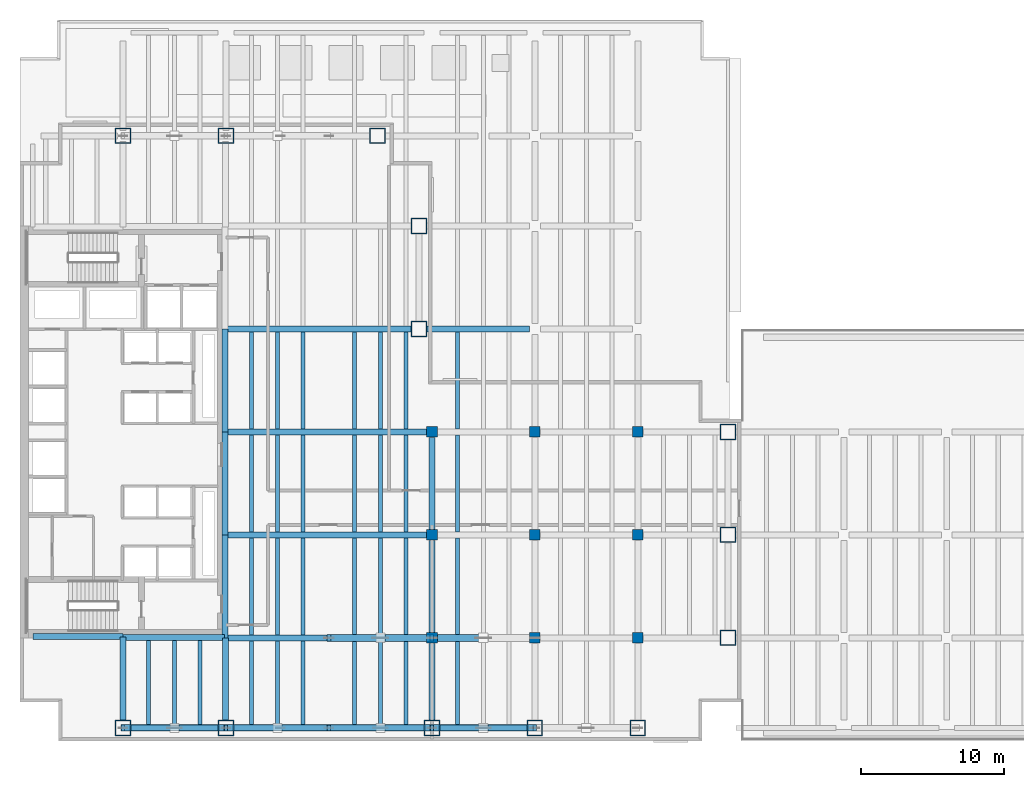
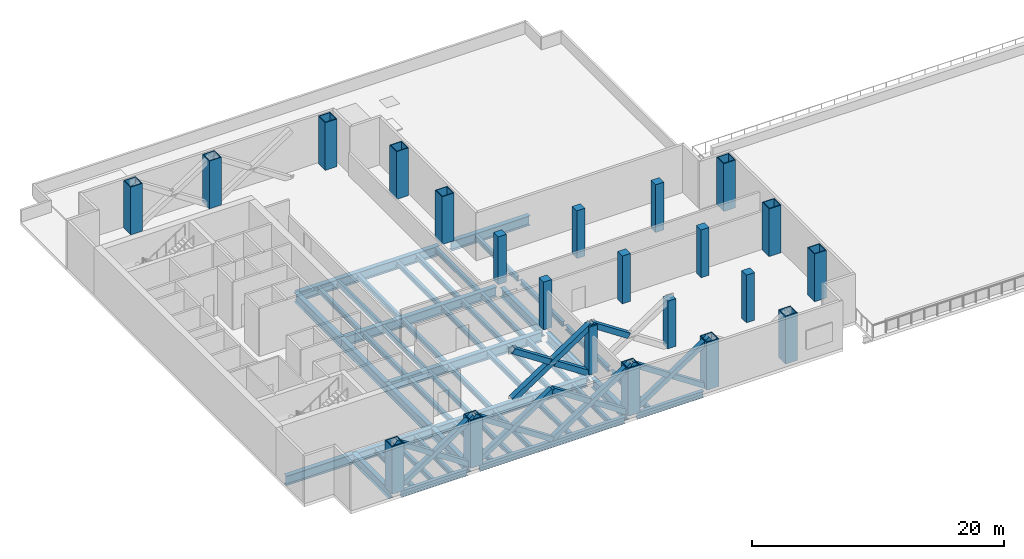
# One storey, part 1 of 12: 49 beams, 22 columns, 16 members.
"""IFC4 building model written with IfcOpenShell, lengths in metres."""

from ifc_helpers import new_model, si_unit, direction, frame, origin, origin_2d, place, context, subcontext, project, spatial, rectangle, hollow_rectangle, i_section, extrude, material, material_profile, profile_set, type_object, element, save


model = new_model("IFC4")

# Units and contexts
model_context = context("Model", 3, precision=1e-05, world=origin(), true_north=direction((0.0, 1.0)))
body_context = subcontext(model_context, "Body", "Model", "MODEL_VIEW")
ifc_project = project(units=[si_unit("LENGTHUNIT", "METRE"), si_unit("AREAUNIT", "SQUARE_METRE"), si_unit("VOLUMEUNIT", "CUBIC_METRE"), si_unit("PLANEANGLEUNIT", "RADIAN"), si_unit("MASSUNIT", "GRAM", prefix="KILO")], contexts=[model_context])

# Site, building, storey
site_placement = place(None, origin())
site = spatial("IfcSite", under=ifc_project, at=site_placement, CompositionType="ELEMENT")
building_placement = place(site_placement, origin())
building = spatial("IfcBuilding", under=site, at=building_placement, Name="Cobrela Telecom Tower", CompositionType="ELEMENT")
storey_placement = place(building_placement, frame((0.0, 0.0, 26.25)))
storey = spatial("IfcBuildingStorey", under=building, at=storey_placement, Name="L06", CompositionType="ELEMENT", Elevation=26.25)

# Columns
ifc_material_1 = material(Name="Concrete C40/50", Category="concrete")
ifc_material_profile_1 = material_profile(ifc_material_1, rectangle(XDim=0.75, YDim=0.75, at=origin_2d()), Name="RC 750x750")
ifc_profile_set_1 = profile_set([ifc_material_profile_1], Name="Concrete C40/50")
column_type_1 = type_object("IfcColumnType", Name="COL-INT-03", PredefinedType="COLUMN", material=ifc_profile_set_1)
for number, where, z_axis, x_axis, name in (
    (1, (28.800048828125, 7.199951171875, 0.0), (0.0, 0.0, 1.0), (1.0, 0.0, 0.0), "L06 Interior Column 09"),
    (2, (28.800048828125, 14.39990234375, 0.0), (0.0, 0.0, 1.0), (1.0, 0.0, 0.0), "L06 Interior Column 10"),
    (3, (28.800048828125, 21.60009765625, 0.0), (0.0, 0.0, 1.0), (1.0, 0.0, 0.0), "L06 Interior Column 11"),
    (4, (36.0, 7.199951171875, 0.0), (0.0, 0.0, 1.0), (1.0, 0.0, 0.0), "L06 Interior Column 13"),
    (5, (36.0, 14.39990234375, 0.0), (0.0, 0.0, 1.0), (1.0, 0.0, 0.0), "L06 Interior Column 14"),
    (6, (36.0, 21.60009765625, 0.0), (0.0, 0.0, 1.0), (1.0, 0.0, 0.0), "L06 Interior Column 15"),
    (7, (43.199951171875, 7.199951171875, 0.0), (0.0, 0.0, 1.0), (1.0, 0.0, 0.0), "L06 Interior Column 17"),
    (8, (43.199951171875, 14.39990234375, 0.0), (0.0, 0.0, 1.0), (1.0, 0.0, 0.0), "L06 Interior Column 18"),
    (9, (43.199951171875, 21.60009765625, 0.0), (0.0, 0.0, 1.0), (1.0, 0.0, 0.0), "L06 Interior Column 19"),
):
    element("IfcColumn", number, at=place(storey_placement, frame(where, z_axis=z_axis, x_axis=x_axis)), inside=storey, type_object=column_type_1, Name=name, PredefinedType="COLUMN", context=body_context, shape_type="SweptSolid", body=[
        extrude(rectangle(XDim=0.75, YDim=0.75, at=origin_2d()), origin(), (0.0, 0.0, 1.0), 4.6201171875),
    ])
ifc_material_2 = material(Name="Steel ASTM A572 Grade 50", Category="steel")
ifc_material_profile_2 = material_profile(ifc_material_2, hollow_rectangle(XDim=1.10009765625, YDim=1.10009765625, WallThickness=0.070068359375, at=origin_2d()), Name="BOX 1100x1100x70")
ifc_profile_set_2 = profile_set([ifc_material_profile_2], Name="Steel ASTM A572 Grade 50")
column_type_2 = type_object("IfcColumnType", Name="COL-MEGA-02", PredefinedType="COLUMN", material=ifc_profile_set_2)
for number, where, z_axis, x_axis, name in (
    (10, (7.199951171875, 0.89990234375, 0.0), (0.0, 0.0, 1.0), (1.0, 0.0, 0.0), "L06 Perimeter Mega-Column 01"),
    (11, (7.199951171875, 42.300048828125, 0.0), (0.0, 0.0, 1.0), (1.0, 0.0, 0.0), "L06 Perimeter Mega-Column 02"),
    (12, (14.39990234375, 0.89990234375, 0.0), (0.0, 0.0, 1.0), (1.0, 0.0, 0.0), "L06 Perimeter Mega-Column 03"),
    (13, (14.39990234375, 42.300048828125, 0.0), (0.0, 0.0, 1.0), (1.0, 0.0, 0.0), "L06 Perimeter Mega-Column 04"),
    (14, (25.0, 42.300048828125, 0.0), (0.0, 0.0, 1.0), (1.0, 0.0, 0.0), "L06 Perimeter Mega-Column 05"),
    (15, (27.89990234375, 28.800048828125, 0.0), (0.0, 0.0, 1.0), (1.0, 0.0, 0.0), "L06 Perimeter Mega-Column 06"),
    (16, (27.89990234375, 36.0, 0.0), (0.0, 0.0, 1.0), (1.0, 0.0, 0.0), "L06 Perimeter Mega-Column 07"),
    (17, (28.800048828125, 0.89990234375, 0.0), (0.0, 0.0, 1.0), (1.0, 0.0, 0.0), "L06 Perimeter Mega-Column 08"),
    (18, (36.0, 0.89990234375, 0.0), (0.0, 0.0, 1.0), (1.0, 0.0, 0.0), "L06 Perimeter Mega-Column 12"),
    (19, (43.199951171875, 0.89990234375, 0.0), (0.0, 0.0, 1.0), (1.0, 0.0, 0.0), "L06 Perimeter Mega-Column 16"),
    (20, (49.5, 7.199951171875, 0.0), (0.0, 0.0, 1.0), (1.0, 0.0, 0.0), "L06 Perimeter Mega-Column 20"),
    (21, (49.5, 14.39990234375, 0.0), (0.0, 0.0, 1.0), (1.0, 0.0, 0.0), "L06 Perimeter Mega-Column 21"),
    (22, (49.5, 21.60009765625, 0.0), (0.0, 0.0, 1.0), (1.0, 0.0, 0.0), "L06 Perimeter Mega-Column 22"),
):
    element("IfcColumn", number, at=place(storey_placement, frame(where, z_axis=z_axis, x_axis=x_axis)), inside=storey, type_object=column_type_2, Name=name, PredefinedType="COLUMN", context=body_context, shape_type="SweptSolid", body=[
        extrude(hollow_rectangle(XDim=1.10009765625, YDim=1.10009765625, WallThickness=0.070068359375, at=origin_2d()), origin(), (0.0, 0.0, 1.0), 4.6201171875),
    ])

# Beams
ifc_material_3 = material(Name="Steel ASTM A992 Grade 50", Category="steel")
ifc_material_profile_3 = material_profile(ifc_material_3, i_section(OverallWidth=0.4189453125, OverallDepth=0.927001953125, WebThickness=0.019287109375, FlangeThickness=0.031982421875, FilletRadius=0.02392578125, at=origin_2d()), Name="W36X231")
ifc_profile_set_3 = profile_set([ifc_material_profile_3], Name="Steel ASTM A992 Grade 50")
beam_type_1 = type_object("IfcBeamType", Name="BM-GIRD-02", PredefinedType="USERDEFINED", material=ifc_profile_set_3)
beam_1_placement = place(storey_placement, frame((0.905029296875, 7.280029296875, -0.763427734375), z_axis=(1.0, 0.0, 0.0), x_axis=(0.0, 1.0, 0.0)))
element("IfcBeam", 23, at=beam_1_placement, inside=storey, type_object=beam_type_1, Name="L06 Primary Girder X09", ObjectType="GIRDER", PredefinedType="USERDEFINED", context=body_context, shape_type="SweptSolid", body=[
    extrude(i_section(OverallWidth=0.4189453125, OverallDepth=0.927001953125, WebThickness=0.019287109375, FlangeThickness=0.031982421875, FilletRadius=0.02392578125, at=origin_2d()), origin(), (0.0, 0.0, 1.0), 6.2900390625),
])
beam_2_placement = place(storey_placement, frame((7.205078125, 7.239990234375, -0.763427734375), z_axis=(1.0, 0.0, 0.0), x_axis=(0.0, 1.0, 0.0)))
element("IfcBeam", 24, at=beam_2_placement, inside=storey, type_object=beam_type_1, Name="L06 Primary Girder X10", ObjectType="GIRDER", PredefinedType="USERDEFINED", context=body_context, shape_type="SweptSolid", body=[
    extrude(i_section(OverallWidth=0.4189453125, OverallDepth=0.927001953125, WebThickness=0.019287109375, FlangeThickness=0.031982421875, FilletRadius=0.02392578125, at=origin_2d()), origin(), (0.0, 0.0, 1.0), 7.10986328125),
])
for number, where, z_axis, x_axis, name in (
    (25, (14.324951171875, 7.199951171875, -0.763427734375), (1.0, 0.0, 0.0), (0.0, 1.0, 0.0), "L06 Primary Girder X11"),
    (26, (14.324951171875, 14.39990234375, -0.763427734375), (1.0, 0.0, 0.0), (0.0, 1.0, 0.0), "L06 Primary Girder X19"),
    (27, (14.324951171875, 21.60009765625, -0.763427734375), (1.0, 0.0, 0.0), (0.0, 1.0, 0.0), "L06 Primary Girder X28"),
):
    element("IfcBeam", number, at=place(storey_placement, frame(where, z_axis=z_axis, x_axis=x_axis)), inside=storey, type_object=beam_type_1, Name=name, ObjectType="GIRDER", PredefinedType="USERDEFINED", context=body_context, shape_type="SweptSolid", body=[
        extrude(i_section(OverallWidth=0.4189453125, OverallDepth=0.927001953125, WebThickness=0.019287109375, FlangeThickness=0.031982421875, FilletRadius=0.02392578125, at=origin_2d()), origin(), (0.0, 0.0, 1.0), 14.094970703125),
    ])
beam_3_placement = place(storey_placement, frame((14.324951171875, 28.800048828125, -0.763427734375), z_axis=(1.0, 0.0, 0.0), x_axis=(0.0, 1.0, 0.0)))
element("IfcBeam", 28, at=beam_3_placement, inside=storey, type_object=beam_type_1, Name="L06 Primary Girder X37", ObjectType="GIRDER", PredefinedType="USERDEFINED", context=body_context, shape_type="SweptSolid", body=[
    extrude(i_section(OverallWidth=0.4189453125, OverallDepth=0.927001953125, WebThickness=0.019287109375, FlangeThickness=0.031982421875, FilletRadius=0.02392578125, at=origin_2d()), origin(), (0.0, 0.0, 1.0), 13.02001953125),
])
beam_4_placement = place(storey_placement, frame((28.455078125, 28.800048828125, -0.763427734375), z_axis=(1.0, 0.0, 0.0), x_axis=(0.0, 1.0, 0.0)))
element("IfcBeam", 29, at=beam_4_placement, inside=storey, type_object=beam_type_1, Name="L06 Primary Girder X38", ObjectType="GIRDER", PredefinedType="USERDEFINED", context=body_context, shape_type="SweptSolid", body=[
    extrude(i_section(OverallWidth=0.4189453125, OverallDepth=0.927001953125, WebThickness=0.019287109375, FlangeThickness=0.031982421875, FilletRadius=0.02392578125, at=origin_2d()), origin(), (0.0, 0.0, 1.0), 7.1650390625),
])
beam_5_placement = place(storey_placement, frame((7.199951171875, 1.455078125, -0.763427734375), z_axis=(0.0, 1.0, 0.0), x_axis=(-1.0, 0.0, 0.0)))
element("IfcBeam", 30, at=beam_5_placement, inside=storey, type_object=beam_type_1, Name="L06 Primary Girder Y56", ObjectType="GIRDER", PredefinedType="USERDEFINED", context=body_context, shape_type="SweptSolid", body=[
    extrude(i_section(OverallWidth=0.4189453125, OverallDepth=0.927001953125, WebThickness=0.019287109375, FlangeThickness=0.031982421875, FilletRadius=0.02392578125, at=origin_2d()), origin(), (0.0, 0.0, 1.0), 5.81982421875),
])
beam_6_placement = place(storey_placement, frame((14.360107421875, 1.455078125, -0.763427734375), z_axis=(0.0, 1.0, 0.0), x_axis=(-1.0, 0.0, 0.0)))
element("IfcBeam", 31, at=beam_6_placement, inside=storey, type_object=beam_type_1, Name="L06 Primary Girder Y59", ObjectType="GIRDER", PredefinedType="USERDEFINED", context=body_context, shape_type="SweptSolid", body=[
    extrude(i_section(OverallWidth=0.4189453125, OverallDepth=0.927001953125, WebThickness=0.019287109375, FlangeThickness=0.031982421875, FilletRadius=0.02392578125, at=origin_2d()), origin(), (0.0, 0.0, 1.0), 5.739990234375),
])
for number, where, z_axis, x_axis, name in (
    (32, (14.320068359375, 7.205078125, -0.763427734375), (0.0, 1.0, 0.0), (-1.0, 0.0, 0.0), "L06 Primary Girder Y60"),
    (33, (14.320068359375, 14.405029296875, -0.763427734375), (0.0, 1.0, 0.0), (-1.0, 0.0, 0.0), "L06 Primary Girder Y61"),
    (34, (14.320068359375, 21.60498046875, -0.763427734375), (0.0, 1.0, 0.0), (-1.0, 0.0, 0.0), "L06 Primary Girder Y62"),
):
    element("IfcBeam", number, at=place(storey_placement, frame(where, z_axis=z_axis, x_axis=x_axis)), inside=storey, type_object=beam_type_1, Name=name, ObjectType="GIRDER", PredefinedType="USERDEFINED", context=body_context, shape_type="SweptSolid", body=[
        extrude(i_section(OverallWidth=0.4189453125, OverallDepth=0.927001953125, WebThickness=0.019287109375, FlangeThickness=0.031982421875, FilletRadius=0.02392578125, at=origin_2d()), origin(), (0.0, 0.0, 1.0), 7.18994140625),
    ])
beam_7_placement = place(storey_placement, frame((28.800048828125, 1.455078125, -0.763427734375), z_axis=(0.0, 1.0, 0.0), x_axis=(-1.0, 0.0, 0.0)))
element("IfcBeam", 35, at=beam_7_placement, inside=storey, type_object=beam_type_1, Name="L06 Primary Girder Y67", ObjectType="GIRDER", PredefinedType="USERDEFINED", context=body_context, shape_type="SweptSolid", body=[
    extrude(i_section(OverallWidth=0.4189453125, OverallDepth=0.927001953125, WebThickness=0.019287109375, FlangeThickness=0.031982421875, FilletRadius=0.02392578125, at=origin_2d()), origin(), (0.0, 0.0, 1.0), 5.364990234375),
])
for number, where, z_axis, x_axis, name in (
    (36, (28.800048828125, 7.580078125, -0.763427734375), (0.0, 1.0, 0.0), (-1.0, 0.0, 0.0), "L06 Primary Girder Y68"),
    (37, (28.800048828125, 14.780029296875, -0.763427734375), (0.0, 1.0, 0.0), (-1.0, 0.0, 0.0), "L06 Primary Girder Y69"),
):
    element("IfcBeam", number, at=place(storey_placement, frame(where, z_axis=z_axis, x_axis=x_axis)), inside=storey, type_object=beam_type_1, Name=name, ObjectType="GIRDER", PredefinedType="USERDEFINED", context=body_context, shape_type="SweptSolid", body=[
        extrude(i_section(OverallWidth=0.4189453125, OverallDepth=0.927001953125, WebThickness=0.019287109375, FlangeThickness=0.031982421875, FilletRadius=0.02392578125, at=origin_2d()), origin(), (0.0, 0.0, 1.0), 6.43994140625),
    ])
ifc_material_profile_4 = material_profile(ifc_material_3, i_section(OverallWidth=0.281982421875, OverallDepth=0.467041015625, WebThickness=0.01220703125, FlangeThickness=0.01953125, FilletRadius=0.012939453125, at=origin_2d()), Name="W18X86")
ifc_profile_set_4 = profile_set([ifc_material_profile_4], Name="Steel ASTM A992 Grade 50")
beam_type_2 = type_object("IfcBeamType", Name="BM-JOIST-02", PredefinedType="JOIST", material=ifc_profile_set_4)
for number, where, z_axis, x_axis, name in (
    (38, (9.0, 1.0673828125, -0.533447265625), (0.0, 1.0, 0.0), (-1.0, 0.0, 0.0), "L06 Secondary Composite Floor Beam J04"),
    (39, (10.800048828125, 1.0673828125, -0.533447265625), (0.0, 1.0, 0.0), (-1.0, 0.0, 0.0), "L06 Secondary Composite Floor Beam J07"),
    (40, (12.60009765625, 1.0673828125, -0.533447265625), (0.0, 1.0, 0.0), (-1.0, 0.0, 0.0), "L06 Secondary Composite Floor Beam J10"),
):
    element("IfcBeam", number, at=place(storey_placement, frame(where, z_axis=z_axis, x_axis=x_axis)), inside=storey, type_object=beam_type_2, Name=name, PredefinedType="JOIST", context=body_context, shape_type="SweptSolid", body=[
        extrude(i_section(OverallWidth=0.281982421875, OverallDepth=0.467041015625, WebThickness=0.01220703125, FlangeThickness=0.01953125, FilletRadius=0.012939453125, at=origin_2d()), origin(), (0.0, 0.0, 1.0), 5.9580078125),
    ])
beam_8_placement = place(storey_placement, frame((16.199951171875, 1.0673828125, -0.533447265625), z_axis=(0.0, 1.0, 0.0), x_axis=(-1.0, 0.0, 0.0)))
element("IfcBeam", 41, at=beam_8_placement, inside=storey, type_object=beam_type_2, Name="L06 Secondary Composite Floor Beam J13", PredefinedType="JOIST", context=body_context, shape_type="SweptSolid", body=[
    extrude(i_section(OverallWidth=0.281982421875, OverallDepth=0.467041015625, WebThickness=0.01220703125, FlangeThickness=0.01953125, FilletRadius=0.012939453125, at=origin_2d()), origin(), (0.0, 0.0, 1.0), 5.918212890625),
])
for number, where, z_axis, x_axis, name in (
    (42, (16.199951171875, 7.41455078125, -0.533447265625), (0.0, 1.0, 0.0), (-1.0, 0.0, 0.0), "L06 Secondary Composite Floor Beam J14"),
    (43, (16.199951171875, 14.614501953125, -0.533447265625), (0.0, 1.0, 0.0), (-1.0, 0.0, 0.0), "L06 Secondary Composite Floor Beam J15"),
    (44, (16.199951171875, 21.814453125, -0.533447265625), (0.0, 1.0, 0.0), (-1.0, 0.0, 0.0), "L06 Secondary Composite Floor Beam J16"),
):
    element("IfcBeam", number, at=place(storey_placement, frame(where, z_axis=z_axis, x_axis=x_axis)), inside=storey, type_object=beam_type_2, Name=name, PredefinedType="JOIST", context=body_context, shape_type="SweptSolid", body=[
        extrude(i_section(OverallWidth=0.281982421875, OverallDepth=0.467041015625, WebThickness=0.01220703125, FlangeThickness=0.01953125, FilletRadius=0.012939453125, at=origin_2d()), origin(), (0.0, 0.0, 1.0), 6.77099609375),
    ])
beam_9_placement = place(storey_placement, frame((18.0, 1.0673828125, -0.533447265625), z_axis=(0.0, 1.0, 0.0), x_axis=(-1.0, 0.0, 0.0)))
element("IfcBeam", 45, at=beam_9_placement, inside=storey, type_object=beam_type_2, Name="L06 Secondary Composite Floor Beam J20", PredefinedType="JOIST", context=body_context, shape_type="SweptSolid", body=[
    extrude(i_section(OverallWidth=0.281982421875, OverallDepth=0.467041015625, WebThickness=0.01220703125, FlangeThickness=0.01953125, FilletRadius=0.012939453125, at=origin_2d()), origin(), (0.0, 0.0, 1.0), 5.918212890625),
])
for number, where, z_axis, x_axis, name in (
    (46, (18.0, 7.41455078125, -0.533447265625), (0.0, 1.0, 0.0), (-1.0, 0.0, 0.0), "L06 Secondary Composite Floor Beam J21"),
    (47, (18.0, 14.614501953125, -0.533447265625), (0.0, 1.0, 0.0), (-1.0, 0.0, 0.0), "L06 Secondary Composite Floor Beam J22"),
    (48, (18.0, 21.814453125, -0.533447265625), (0.0, 1.0, 0.0), (-1.0, 0.0, 0.0), "L06 Secondary Composite Floor Beam J23"),
):
    element("IfcBeam", number, at=place(storey_placement, frame(where, z_axis=z_axis, x_axis=x_axis)), inside=storey, type_object=beam_type_2, Name=name, PredefinedType="JOIST", context=body_context, shape_type="SweptSolid", body=[
        extrude(i_section(OverallWidth=0.281982421875, OverallDepth=0.467041015625, WebThickness=0.01220703125, FlangeThickness=0.01953125, FilletRadius=0.012939453125, at=origin_2d()), origin(), (0.0, 0.0, 1.0), 6.77099609375),
    ])
beam_10_placement = place(storey_placement, frame((19.800048828125, 1.0673828125, -0.533447265625), z_axis=(0.0, 1.0, 0.0), x_axis=(-1.0, 0.0, 0.0)))
element("IfcBeam", 49, at=beam_10_placement, inside=storey, type_object=beam_type_2, Name="L06 Secondary Composite Floor Beam J27", PredefinedType="JOIST", context=body_context, shape_type="SweptSolid", body=[
    extrude(i_section(OverallWidth=0.281982421875, OverallDepth=0.467041015625, WebThickness=0.01220703125, FlangeThickness=0.01953125, FilletRadius=0.012939453125, at=origin_2d()), origin(), (0.0, 0.0, 1.0), 5.918212890625),
])
for number, where, z_axis, x_axis, name in (
    (50, (19.800048828125, 7.41455078125, -0.533447265625), (0.0, 1.0, 0.0), (-1.0, 0.0, 0.0), "L06 Secondary Composite Floor Beam J28"),
    (51, (19.800048828125, 14.614501953125, -0.533447265625), (0.0, 1.0, 0.0), (-1.0, 0.0, 0.0), "L06 Secondary Composite Floor Beam J29"),
    (52, (19.800048828125, 21.814453125, -0.533447265625), (0.0, 1.0, 0.0), (-1.0, 0.0, 0.0), "L06 Secondary Composite Floor Beam J30"),
):
    element("IfcBeam", number, at=place(storey_placement, frame(where, z_axis=z_axis, x_axis=x_axis)), inside=storey, type_object=beam_type_2, Name=name, PredefinedType="JOIST", context=body_context, shape_type="SweptSolid", body=[
        extrude(i_section(OverallWidth=0.281982421875, OverallDepth=0.467041015625, WebThickness=0.01220703125, FlangeThickness=0.01953125, FilletRadius=0.012939453125, at=origin_2d()), origin(), (0.0, 0.0, 1.0), 6.77099609375),
    ])
beam_11_placement = place(storey_placement, frame((23.39990234375, 1.0673828125, -0.533447265625), z_axis=(0.0, 1.0, 0.0), x_axis=(-1.0, 0.0, 0.0)))
element("IfcBeam", 53, at=beam_11_placement, inside=storey, type_object=beam_type_2, Name="L06 Secondary Composite Floor Beam J34", PredefinedType="JOIST", context=body_context, shape_type="SweptSolid", body=[
    extrude(i_section(OverallWidth=0.281982421875, OverallDepth=0.467041015625, WebThickness=0.01220703125, FlangeThickness=0.01953125, FilletRadius=0.012939453125, at=origin_2d()), origin(), (0.0, 0.0, 1.0), 5.918212890625),
])
for number, where, z_axis, x_axis, name in (
    (54, (23.39990234375, 7.41455078125, -0.533447265625), (0.0, 1.0, 0.0), (-1.0, 0.0, 0.0), "L06 Secondary Composite Floor Beam J35"),
    (55, (23.39990234375, 14.614501953125, -0.533447265625), (0.0, 1.0, 0.0), (-1.0, 0.0, 0.0), "L06 Secondary Composite Floor Beam J36"),
    (56, (23.39990234375, 21.814453125, -0.533447265625), (0.0, 1.0, 0.0), (-1.0, 0.0, 0.0), "L06 Secondary Composite Floor Beam J37"),
):
    element("IfcBeam", number, at=place(storey_placement, frame(where, z_axis=z_axis, x_axis=x_axis)), inside=storey, type_object=beam_type_2, Name=name, PredefinedType="JOIST", context=body_context, shape_type="SweptSolid", body=[
        extrude(i_section(OverallWidth=0.281982421875, OverallDepth=0.467041015625, WebThickness=0.01220703125, FlangeThickness=0.01953125, FilletRadius=0.012939453125, at=origin_2d()), origin(), (0.0, 0.0, 1.0), 6.77099609375),
    ])
beam_12_placement = place(storey_placement, frame((25.199951171875, 1.0673828125, -0.533447265625), z_axis=(0.0, 1.0, 0.0), x_axis=(-1.0, 0.0, 0.0)))
element("IfcBeam", 57, at=beam_12_placement, inside=storey, type_object=beam_type_2, Name="L06 Secondary Composite Floor Beam J41", PredefinedType="JOIST", context=body_context, shape_type="SweptSolid", body=[
    extrude(i_section(OverallWidth=0.281982421875, OverallDepth=0.467041015625, WebThickness=0.01220703125, FlangeThickness=0.01953125, FilletRadius=0.012939453125, at=origin_2d()), origin(), (0.0, 0.0, 1.0), 5.918212890625),
])
for number, where, z_axis, x_axis, name in (
    (58, (25.199951171875, 7.41455078125, -0.533447265625), (0.0, 1.0, 0.0), (-1.0, 0.0, 0.0), "L06 Secondary Composite Floor Beam J42"),
    (59, (25.199951171875, 14.614501953125, -0.533447265625), (0.0, 1.0, 0.0), (-1.0, 0.0, 0.0), "L06 Secondary Composite Floor Beam J43"),
    (60, (25.199951171875, 21.814453125, -0.533447265625), (0.0, 1.0, 0.0), (-1.0, 0.0, 0.0), "L06 Secondary Composite Floor Beam J44"),
):
    element("IfcBeam", number, at=place(storey_placement, frame(where, z_axis=z_axis, x_axis=x_axis)), inside=storey, type_object=beam_type_2, Name=name, PredefinedType="JOIST", context=body_context, shape_type="SweptSolid", body=[
        extrude(i_section(OverallWidth=0.281982421875, OverallDepth=0.467041015625, WebThickness=0.01220703125, FlangeThickness=0.01953125, FilletRadius=0.012939453125, at=origin_2d()), origin(), (0.0, 0.0, 1.0), 6.77099609375),
    ])
beam_13_placement = place(storey_placement, frame((27.0, 1.0673828125, -0.533447265625), z_axis=(0.0, 1.0, 0.0), x_axis=(-1.0, 0.0, 0.0)))
element("IfcBeam", 61, at=beam_13_placement, inside=storey, type_object=beam_type_2, Name="L06 Secondary Composite Floor Beam J46", PredefinedType="JOIST", context=body_context, shape_type="SweptSolid", body=[
    extrude(i_section(OverallWidth=0.281982421875, OverallDepth=0.467041015625, WebThickness=0.01220703125, FlangeThickness=0.01953125, FilletRadius=0.012939453125, at=origin_2d()), origin(), (0.0, 0.0, 1.0), 5.918212890625),
])
for number, where, z_axis, x_axis, name in (
    (62, (27.0, 7.41455078125, -0.533447265625), (0.0, 1.0, 0.0), (-1.0, 0.0, 0.0), "L06 Secondary Composite Floor Beam J47"),
    (63, (27.0, 14.614501953125, -0.533447265625), (0.0, 1.0, 0.0), (-1.0, 0.0, 0.0), "L06 Secondary Composite Floor Beam J48"),
    (64, (27.0, 21.814453125, -0.533447265625), (0.0, 1.0, 0.0), (-1.0, 0.0, 0.0), "L06 Secondary Composite Floor Beam J49"),
):
    element("IfcBeam", number, at=place(storey_placement, frame(where, z_axis=z_axis, x_axis=x_axis)), inside=storey, type_object=beam_type_2, Name=name, PredefinedType="JOIST", context=body_context, shape_type="SweptSolid", body=[
        extrude(i_section(OverallWidth=0.281982421875, OverallDepth=0.467041015625, WebThickness=0.01220703125, FlangeThickness=0.01953125, FilletRadius=0.012939453125, at=origin_2d()), origin(), (0.0, 0.0, 1.0), 6.77099609375),
    ])
beam_14_placement = place(storey_placement, frame((30.60009765625, 1.0673828125, -0.533447265625), z_axis=(0.0, 1.0, 0.0), x_axis=(-1.0, 0.0, 0.0)))
element("IfcBeam", 65, at=beam_14_placement, inside=storey, type_object=beam_type_2, Name="L06 Secondary Composite Floor Beam J53", PredefinedType="JOIST", context=body_context, shape_type="SweptSolid", body=[
    extrude(i_section(OverallWidth=0.281982421875, OverallDepth=0.467041015625, WebThickness=0.01220703125, FlangeThickness=0.01953125, FilletRadius=0.012939453125, at=origin_2d()), origin(), (0.0, 0.0, 1.0), 5.918212890625),
])
for number, where, z_axis, x_axis, name in (
    (66, (30.60009765625, 7.41455078125, -0.533447265625), (0.0, 1.0, 0.0), (-1.0, 0.0, 0.0), "L06 Secondary Composite Floor Beam J54"),
    (67, (30.60009765625, 14.614501953125, -0.533447265625), (0.0, 1.0, 0.0), (-1.0, 0.0, 0.0), "L06 Secondary Composite Floor Beam J55"),
    (68, (30.60009765625, 21.814453125, -0.533447265625), (0.0, 1.0, 0.0), (-1.0, 0.0, 0.0), "L06 Secondary Composite Floor Beam J56"),
):
    element("IfcBeam", number, at=place(storey_placement, frame(where, z_axis=z_axis, x_axis=x_axis)), inside=storey, type_object=beam_type_2, Name=name, PredefinedType="JOIST", context=body_context, shape_type="SweptSolid", body=[
        extrude(i_section(OverallWidth=0.281982421875, OverallDepth=0.467041015625, WebThickness=0.01220703125, FlangeThickness=0.01953125, FilletRadius=0.012939453125, at=origin_2d()), origin(), (0.0, 0.0, 1.0), 6.77099609375),
    ])
ifc_material_profile_5 = material_profile(ifc_material_3, i_section(OverallWidth=0.324951171875, OverallDepth=0.612060546875, WebThickness=0.0126953125, FlangeThickness=0.01904296875, FilletRadius=0.014892578125, at=origin_2d()), Name="W24X104")
ifc_profile_set_5 = profile_set([ifc_material_profile_5], Name="Steel ASTM A992 Grade 50")
beam_type_3 = type_object("IfcBeamType", Name="BM-SPAND-02", PredefinedType="SPANDREL", material=ifc_profile_set_5)
beam_15_placement = place(storey_placement, frame((7.7548828125, 0.89990234375, -0.60595703125), z_axis=(1.0, 0.0, 0.0), x_axis=(0.0, 1.0, 0.0)))
element("IfcBeam", 69, at=beam_15_placement, inside=storey, type_object=beam_type_3, Name="L06 Perimeter Spandrel X01", PredefinedType="SPANDREL", context=body_context, shape_type="SweptSolid", body=[
    extrude(i_section(OverallWidth=0.324951171875, OverallDepth=0.612060546875, WebThickness=0.0126953125, FlangeThickness=0.01904296875, FilletRadius=0.014892578125, at=origin_2d()), origin(), (0.0, 0.0, 1.0), 6.090087890625),
])
beam_16_placement = place(storey_placement, frame((14.955078125, 0.89990234375, -0.60595703125), z_axis=(1.0, 0.0, 0.0), x_axis=(0.0, 1.0, 0.0)))
element("IfcBeam", 70, at=beam_16_placement, inside=storey, type_object=beam_type_3, Name="L06 Perimeter Spandrel X02", PredefinedType="SPANDREL", context=body_context, shape_type="SweptSolid", body=[
    extrude(i_section(OverallWidth=0.324951171875, OverallDepth=0.612060546875, WebThickness=0.0126953125, FlangeThickness=0.01904296875, FilletRadius=0.014892578125, at=origin_2d()), origin(), (0.0, 0.0, 1.0), 13.2900390625),
])
beam_17_placement = place(storey_placement, frame((29.35498046875, 0.89990234375, -0.60595703125), z_axis=(1.0, 0.0, 0.0), x_axis=(0.0, 1.0, 0.0)))
element("IfcBeam", 71, at=beam_17_placement, inside=storey, type_object=beam_type_3, Name="L06 Perimeter Spandrel X03", PredefinedType="SPANDREL", context=body_context, shape_type="SweptSolid", body=[
    extrude(i_section(OverallWidth=0.324951171875, OverallDepth=0.612060546875, WebThickness=0.0126953125, FlangeThickness=0.01904296875, FilletRadius=0.014892578125, at=origin_2d()), origin(), (0.0, 0.0, 1.0), 6.090087890625),
])

# Members
ifc_material_profile_6 = material_profile(ifc_material_2, hollow_rectangle(XDim=0.449951171875, YDim=0.449951171875, WallThickness=0.02197265625, at=origin_2d()), Name="HSS 450x450x22")
ifc_profile_set_6 = profile_set([ifc_material_profile_6], Name="Steel ASTM A572 Grade 50")
member_type_1 = type_object("IfcMemberType", Name="MBR-BELT", PredefinedType="BRACE", material=ifc_profile_set_6)
member_1_placement = place(storey_placement, frame((7.199951171875, 0.89990234375, -0.139892578125), z_axis=(0.834180798292, 0.0, 0.551491065894), x_axis=(0.0, 1.0, 0.0)))
element("IfcMember", 72, at=member_1_placement, inside=storey, type_object=member_type_1, Name="L06 South Perimeter Belt Truss Brace 03 Continuous A", PredefinedType="BRACE", context=body_context, shape_type="SweptSolid", body=[
    extrude(hollow_rectangle(XDim=0.449951171875, YDim=0.449951171875, WallThickness=0.02197265625, at=origin_2d()), origin(), (0.0, 0.0, 1.0), 8.631103515625),
])
member_2_placement = place(storey_placement, frame((14.39990234375, 0.89990234375, -0.139892578125), z_axis=(-0.834179353991, 0.0, 0.551493250525), x_axis=(0.0, -1.0, 0.0)))
element("IfcMember", 73, at=member_2_placement, inside=storey, type_object=member_type_1, Name="L06 South Perimeter Belt Truss Brace 03 Split B1", PredefinedType="BRACE", context=body_context, shape_type="SweptSolid", body=[
    extrude(hollow_rectangle(XDim=0.449951171875, YDim=0.449951171875, WallThickness=0.02197265625, at=origin_2d()), origin(), (0.0, 0.0, 1.0), 4.0634765625),
])
member_3_placement = place(storey_placement, frame((10.58984375, 0.89990234375, 2.37890625), z_axis=(-0.834169987889, 0.0, 0.551507417272), x_axis=(0.0, -1.0, 0.0)))
element("IfcMember", 74, at=member_3_placement, inside=storey, type_object=member_type_1, Name="L06 South Perimeter Belt Truss Brace 03 Split B2", PredefinedType="BRACE", context=body_context, shape_type="SweptSolid", body=[
    extrude(hollow_rectangle(XDim=0.449951171875, YDim=0.449951171875, WallThickness=0.02197265625, at=origin_2d()), origin(), (0.0, 0.0, 1.0), 4.063720703125),
])
member_4_placement = place(storey_placement, frame((14.39990234375, 0.89990234375, -0.139892578125), z_axis=(0.834189400942, 0.0, 0.551478053376), x_axis=(0.0, 1.0, 0.0)))
element("IfcMember", 75, at=member_4_placement, inside=storey, type_object=member_type_1, Name="L06 South Perimeter Belt Truss Brace 04 Continuous A", PredefinedType="BRACE", context=body_context, shape_type="SweptSolid", body=[
    extrude(hollow_rectangle(XDim=0.449951171875, YDim=0.449951171875, WallThickness=0.02197265625, at=origin_2d()), origin(), (0.0, 0.0, 1.0), 8.63134765625),
])
for number, where, z_axis, x_axis, name in (
    (76, (21.60009765625, 0.89990234375, -0.139892578125), (-0.834197626265, 0.0, 0.551465611198), (0.0, -1.0, 0.0), "L06 South Perimeter Belt Truss Brace 04 Split B1"),
    (77, (17.789794921875, 0.89990234375, 2.37890625), (-0.834169987889, 0.0, 0.551507417272), (0.0, -1.0, 0.0), "L06 South Perimeter Belt Truss Brace 04 Split B2"),
):
    element("IfcMember", number, at=place(storey_placement, frame(where, z_axis=z_axis, x_axis=x_axis)), inside=storey, type_object=member_type_1, Name=name, PredefinedType="BRACE", context=body_context, shape_type="SweptSolid", body=[
        extrude(hollow_rectangle(XDim=0.449951171875, YDim=0.449951171875, WallThickness=0.02197265625, at=origin_2d()), origin(), (0.0, 0.0, 1.0), 4.063720703125),
    ])
member_5_placement = place(storey_placement, frame((21.60009765625, 0.89990234375, -0.139892578125), z_axis=(0.834180798292, 0.0, 0.551491065894), x_axis=(0.0, 1.0, 0.0)))
element("IfcMember", 78, at=member_5_placement, inside=storey, type_object=member_type_1, Name="L06 South Perimeter Belt Truss Brace 05 Continuous A", PredefinedType="BRACE", context=body_context, shape_type="SweptSolid", body=[
    extrude(hollow_rectangle(XDim=0.449951171875, YDim=0.449951171875, WallThickness=0.02197265625, at=origin_2d()), origin(), (0.0, 0.0, 1.0), 8.631103515625),
])
member_6_placement = place(storey_placement, frame((28.800048828125, 0.89990234375, -0.139892578125), z_axis=(-0.834197626265, 0.0, 0.551465611198), x_axis=(0.0, -1.0, 0.0)))
element("IfcMember", 79, at=member_6_placement, inside=storey, type_object=member_type_1, Name="L06 South Perimeter Belt Truss Brace 05 Split B1", PredefinedType="BRACE", context=body_context, shape_type="SweptSolid", body=[
    extrude(hollow_rectangle(XDim=0.449951171875, YDim=0.449951171875, WallThickness=0.02197265625, at=origin_2d()), origin(), (0.0, 0.0, 1.0), 4.063720703125),
])
member_7_placement = place(storey_placement, frame((24.98974609375, 0.89990234375, 2.37890625), z_axis=(-0.83415171345, 0.0, 0.551535056862), x_axis=(0.0, -1.0, 0.0)))
element("IfcMember", 80, at=member_7_placement, inside=storey, type_object=member_type_1, Name="L06 South Perimeter Belt Truss Brace 05 Split B2", PredefinedType="BRACE", context=body_context, shape_type="SweptSolid", body=[
    extrude(hollow_rectangle(XDim=0.449951171875, YDim=0.449951171875, WallThickness=0.02197265625, at=origin_2d()), origin(), (0.0, 0.0, 1.0), 4.0634765625),
])
member_8_placement = place(storey_placement, frame((28.800048828125, 0.89990234375, -0.139892578125), z_axis=(0.834180798292, 0.0, 0.551491065894), x_axis=(0.0, 1.0, 0.0)))
element("IfcMember", 81, at=member_8_placement, inside=storey, type_object=member_type_1, Name="L06 South Perimeter Belt Truss Brace 06 Continuous A", PredefinedType="BRACE", context=body_context, shape_type="SweptSolid", body=[
    extrude(hollow_rectangle(XDim=0.449951171875, YDim=0.449951171875, WallThickness=0.02197265625, at=origin_2d()), origin(), (0.0, 0.0, 1.0), 8.631103515625),
])
member_9_placement = place(storey_placement, frame((36.0, 0.89990234375, -0.139892578125), z_axis=(-0.834197626265, 0.0, 0.551465611198), x_axis=(0.0, -1.0, 0.0)))
element("IfcMember", 82, at=member_9_placement, inside=storey, type_object=member_type_1, Name="L06 South Perimeter Belt Truss Brace 06 Split B1", PredefinedType="BRACE", context=body_context, shape_type="SweptSolid", body=[
    extrude(hollow_rectangle(XDim=0.449951171875, YDim=0.449951171875, WallThickness=0.02197265625, at=origin_2d()), origin(), (0.0, 0.0, 1.0), 4.063720703125),
])
member_10_placement = place(storey_placement, frame((32.189697265625, 0.89990234375, 2.37890625), z_axis=(-0.83415171345, 0.0, 0.551535056862), x_axis=(0.0, -1.0, 0.0)))
element("IfcMember", 83, at=member_10_placement, inside=storey, type_object=member_type_1, Name="L06 South Perimeter Belt Truss Brace 06 Split B2", PredefinedType="BRACE", context=body_context, shape_type="SweptSolid", body=[
    extrude(hollow_rectangle(XDim=0.449951171875, YDim=0.449951171875, WallThickness=0.02197265625, at=origin_2d()), origin(), (0.0, 0.0, 1.0), 4.0634765625),
])
ifc_material_profile_7 = material_profile(ifc_material_2, hollow_rectangle(XDim=0.5, YDim=0.5, WallThickness=0.02490234375, at=origin_2d()), Name="HSS 500x500x25")
ifc_profile_set_7 = profile_set([ifc_material_profile_7], Name="Steel ASTM A572 Grade 50")
member_type_2 = type_object("IfcMemberType", Name="MBR-OUTRIGGER", PredefinedType="BRACE", material=ifc_profile_set_7)
member_11_placement = place(storey_placement, frame((21.60009765625, 7.199951171875, -0.139892578125), z_axis=(0.834180798292, 0.0, 0.551491065894), x_axis=(0.0, 1.0, 0.0)))
element("IfcMember", 84, at=member_11_placement, inside=storey, type_object=member_type_2, Name="L06 Outrigger Truss Brace 01 Continuous A", PredefinedType="BRACE", context=body_context, shape_type="SweptSolid", body=[
    extrude(hollow_rectangle(XDim=0.5, YDim=0.5, WallThickness=0.02490234375, at=origin_2d()), origin(), (0.0, 0.0, 1.0), 8.631103515625),
])
for number, where, z_axis, x_axis, name in (
    (85, (28.800048828125, 7.199951171875, -0.139892578125), (-0.834184740148, 0.0, 0.551485103429), (0.0, -1.0, 0.0), "L06 Outrigger Truss Brace 01 Split B1"),
    (86, (24.96630859375, 7.199951171875, 2.394287109375), (-0.834138506519, 0.0, 0.551555030747), (0.0, -1.0, 0.0), "L06 Outrigger Truss Brace 01 Split B2"),
    (87, (32.16650390625, 7.199951171875, 2.394287109375), (-0.834156909227, 0.0, 0.551527198594), (0.0, -1.0, 0.0), "L06 Outrigger Truss Brace 02 Split B2"),
):
    element("IfcMember", number, at=place(storey_placement, frame(where, z_axis=z_axis, x_axis=x_axis)), inside=storey, type_object=member_type_2, Name=name, PredefinedType="BRACE", context=body_context, shape_type="SweptSolid", body=[
        extrude(hollow_rectangle(XDim=0.5, YDim=0.5, WallThickness=0.02490234375, at=origin_2d()), origin(), (0.0, 0.0, 1.0), 4.03564453125),
    ])

save(model, "model.ifc")
